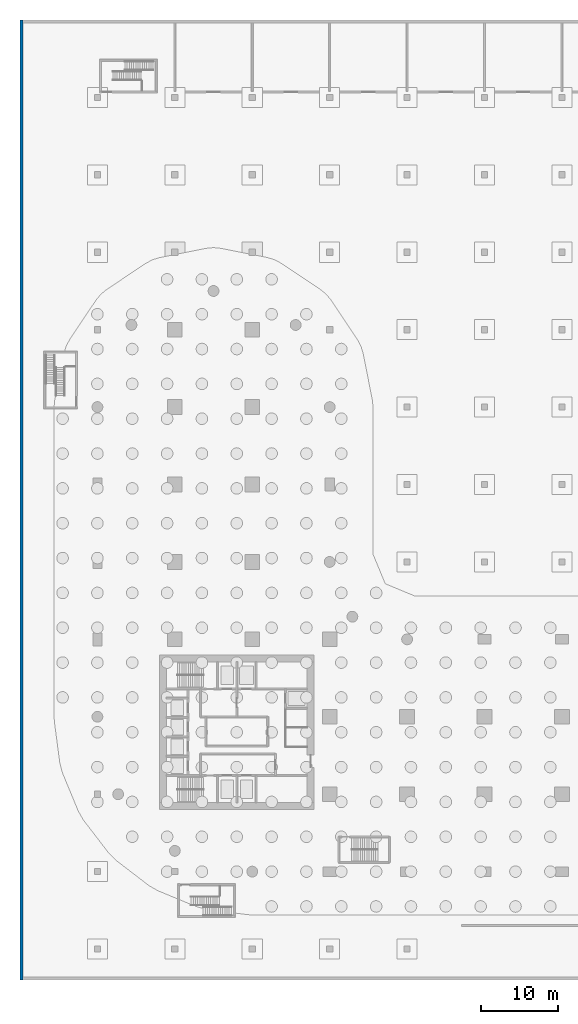
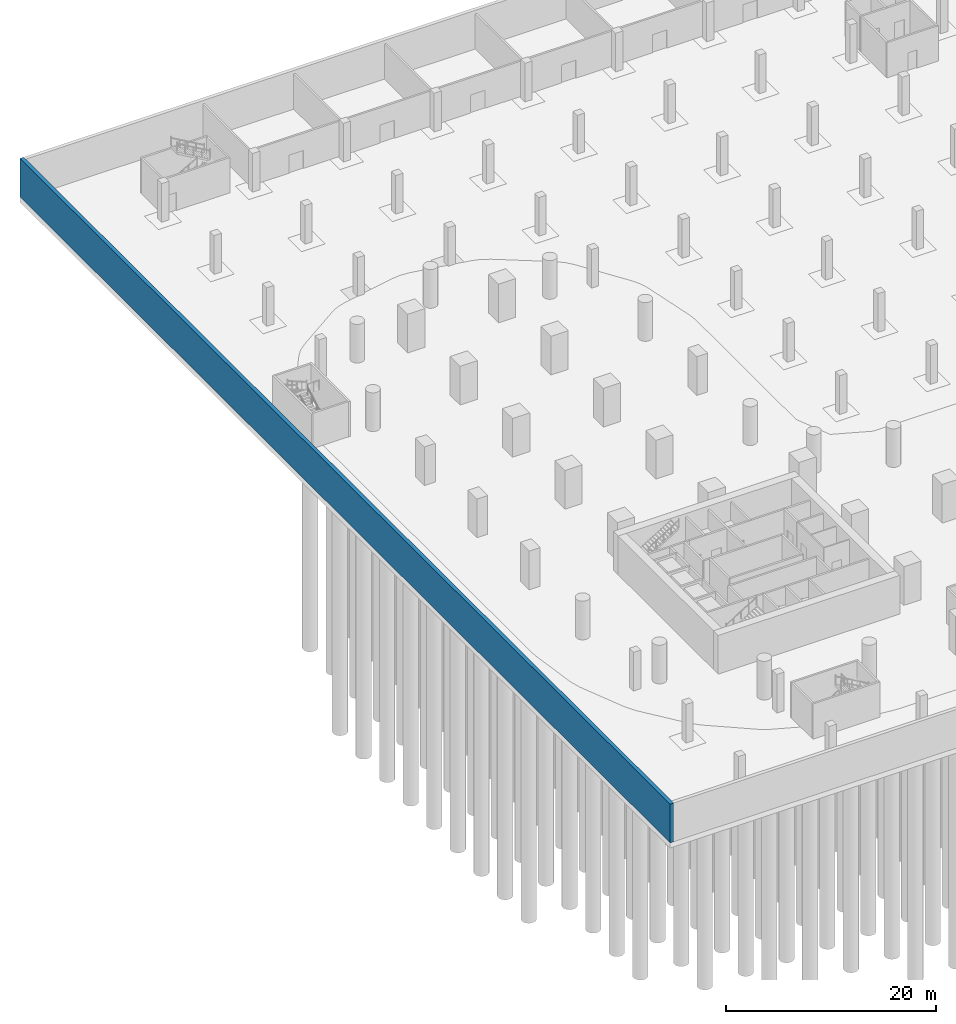
# One storey, part 8 of 19: 1 wall.
"""IFC4 building model written with IfcOpenShell, lengths in metres."""

from ifc_helpers import new_model, si_unit, direction, frame, frame_2d, origin, place, context, subcontext, project, spatial, rectangle, extrude, material, layer, layer_set, type_object, element, save


model = new_model("IFC4")

# Units and contexts
model_context = context("Model", 3, precision=1e-05, world=origin(), true_north=direction((0.0, 1.0)))
body_context = subcontext(model_context, "Body", "Model", "MODEL_VIEW")
ifc_project = project(units=[si_unit("LENGTHUNIT", "METRE"), si_unit("AREAUNIT", "SQUARE_METRE"), si_unit("VOLUMEUNIT", "CUBIC_METRE"), si_unit("PLANEANGLEUNIT", "RADIAN"), si_unit("MASSUNIT", "GRAM", prefix="KILO")], contexts=[model_context])

# Site, building, storey
site_placement = place(None, origin())
site = spatial("IfcSite", under=ifc_project, at=site_placement, CompositionType="ELEMENT")
building_placement = place(site_placement, origin())
building = spatial("IfcBuilding", under=site, at=building_placement, Name="Qaws Garden Tower", CompositionType="ELEMENT")
storey_placement = place(building_placement, frame((0.0, 0.0, -9.0)))
storey = spatial("IfcBuildingStorey", under=building, at=storey_placement, Name="B2", CompositionType="ELEMENT", Elevation=-9.0)

# Wall
ifc_material = material(Name="Concrete C45", Category="concrete")
ifc_layer = layer(ifc_material, 0.39990234375)
ifc_layer_set = layer_set([ifc_layer], Name="Concrete C45")
wall_type = type_object("IfcWallType", Name="Retaining wall 400", PredefinedType="SOLIDWALL", material=ifc_layer_set)
wall_placement = place(storey_placement, frame((-9.800048828125, 110.0, 0.0), z_axis=(0.0, 0.0, 1.0), x_axis=(0.0, -1.0, 0.0)))
element("IfcWall", 1, at=wall_placement, inside=storey, type_object=wall_type, Name="Retaining wall W B2", PredefinedType="SOLIDWALL", context=body_context, shape_type="SweptSolid", body=[
    extrude(rectangle(XDim=124.0, YDim=0.39990234375, at=frame_2d((62.0, 0.0))), origin(), (0.0, 0.0, 1.0), 4.5),
])

save(model, "model.ifc")
